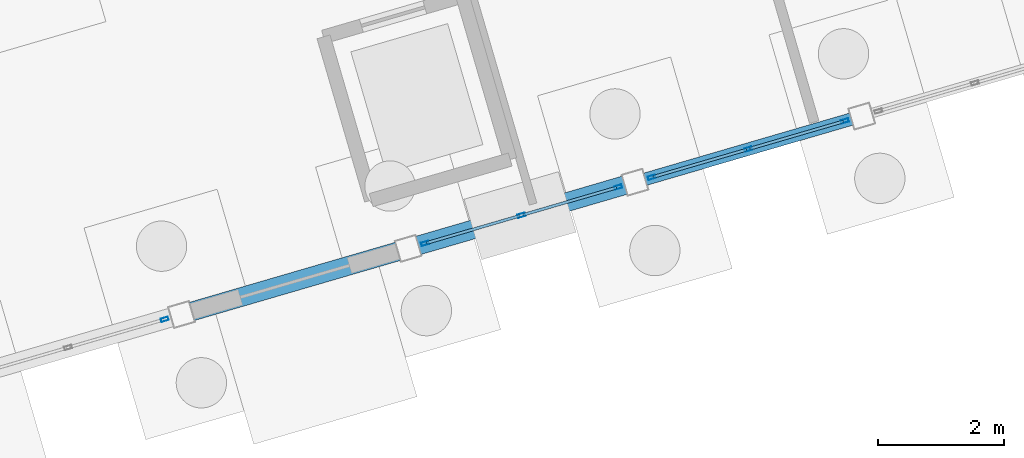
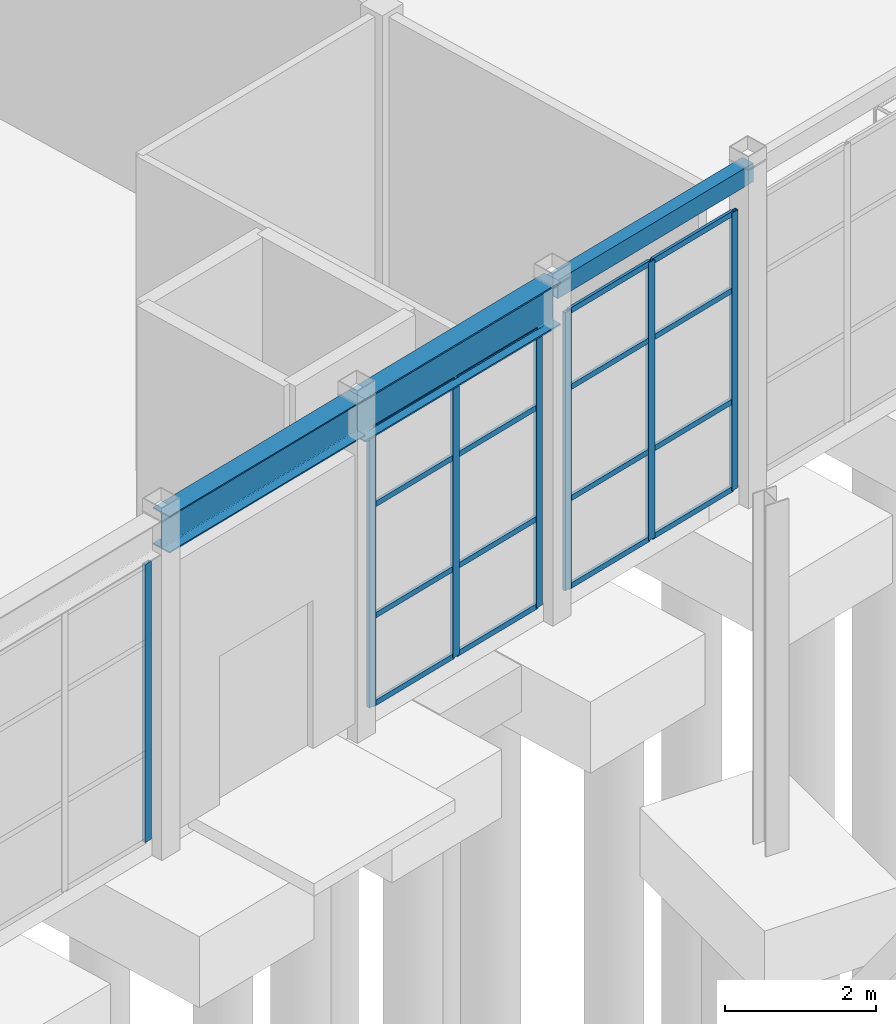
# One storey, part 28 of 90: 23 members, 3 beams, 3 elements without a shape of their own.
"""IFC4 building model written with IfcOpenShell, lengths in metres."""

from ifc_helpers import new_model, si_unit, direction, frame, origin, origin_2d, place, context, subcontext, project, spatial, hollow_rectangle, i_section, extrude, material, layer, layer_set, material_profile, profile_set, type_object, element, aggregate, save


model = new_model("IFC4")

# Units and contexts
model_context = context("Model", 3, precision=1e-05, world=origin(), true_north=direction((0.0, 1.0)))
body_context = subcontext(model_context, "Body", "Model", "MODEL_VIEW")
ifc_project = project(units=[si_unit("LENGTHUNIT", "METRE"), si_unit("AREAUNIT", "SQUARE_METRE"), si_unit("VOLUMEUNIT", "CUBIC_METRE"), si_unit("PLANEANGLEUNIT", "RADIAN"), si_unit("MASSUNIT", "GRAM", prefix="KILO")], contexts=[model_context])

# Site, building, storey
site_placement = place(None, origin())
site = spatial("IfcSite", under=ifc_project, at=site_placement, CompositionType="ELEMENT")
building_placement = place(site_placement, origin())
building = spatial("IfcBuilding", under=site, at=building_placement, Name="Canggui Botanical Conservatory", CompositionType="ELEMENT")
storey_placement = place(building_placement, origin())
storey = spatial("IfcBuildingStorey", under=building, at=storey_placement, Name="L01", CompositionType="ELEMENT", Elevation=0.0)

# Beams
ifc_material_1 = material(Name="Steel Q355B", Category="steel")
ifc_material_profile_1 = material_profile(ifc_material_1, i_section(OverallWidth=0.300048828125, OverallDepth=0.60009765625, WebThickness=0.011962890625, FlangeThickness=0.02001953125, FilletRadius=0.02392578125, at=origin_2d()), Name="HM 600x300x12x20")
ifc_profile_set_1 = profile_set([ifc_material_profile_1], Name="Steel Q355B")
beam_type_1 = type_object("IfcBeamType", Name="BM-GL09", PredefinedType="BEAM", material=ifc_profile_set_1)
beam_1_placement = place(storey_placement, frame((27.199951171875, 44.10009765625, 4.875), z_axis=(0.960016039924, 0.279945000113, 0.0), x_axis=(-0.279945000113, 0.960016039924, 0.0)))
element("IfcBeam", 1, at=beam_1_placement, inside=storey, type_object=beam_type_1, Name="Conservatory Skywalk Perimeter Girder V0-03", PredefinedType="BEAM", context=body_context, shape_type="SweptSolid", body=[
    extrude(i_section(OverallWidth=0.300048828125, OverallDepth=0.60009765625, WebThickness=0.011962890625, FlangeThickness=0.02001953125, FilletRadius=0.02392578125, at=origin_2d()), origin(), (0.0, 0.0, 1.0), 3.75),
])
ifc_material_profile_2 = material_profile(ifc_material_1, i_section(OverallWidth=0.300048828125, OverallDepth=0.699951171875, WebThickness=0.012939453125, FlangeThickness=0.02392578125, FilletRadius=0.02587890625, at=origin_2d()), Name="HN 700x300x13x24")
ifc_profile_set_2 = profile_set([ifc_material_profile_2], Name="Steel Q355B")
beam_type_2 = type_object("IfcBeamType", Name="BM-GL10", PredefinedType="BEAM", material=ifc_profile_set_2)
beam_2_placement = place(storey_placement, frame((30.800048828125, 45.14990234375, 4.824951171875), z_axis=(0.959993437014, 0.280022500685, 0.0), x_axis=(-0.280022500685, 0.959993437014, 0.0)))
element("IfcBeam", 2, at=beam_2_placement, inside=storey, type_object=beam_type_2, Name="Conservatory Skywalk Perimeter Girder V0-04", PredefinedType="BEAM", context=body_context, shape_type="SweptSolid", body=[
    extrude(i_section(OverallWidth=0.300048828125, OverallDepth=0.699951171875, WebThickness=0.012939453125, FlangeThickness=0.02392578125, FilletRadius=0.02587890625, at=origin_2d()), origin(), (0.0, 0.0, 1.0), 3.749755859375),
])
ifc_material_profile_3 = material_profile(ifc_material_1, hollow_rectangle(XDim=0.199951171875, YDim=0.300048828125, WallThickness=0.010009765625, at=origin_2d()), Name="RHS 200x300x10")
ifc_profile_set_3 = profile_set([ifc_material_profile_3], Name="Steel Q355B")
beam_type_3 = type_object("IfcBeamType", Name="BM-GL11", PredefinedType="BEAM", material=ifc_profile_set_3)
beam_3_placement = place(storey_placement, frame((34.39990234375, 46.199951171875, 5.02490234375), z_axis=(0.959998541695, 0.280004999853, 0.0), x_axis=(-0.280004999853, 0.959998541695, 0.0)))
element("IfcBeam", 3, at=beam_3_placement, inside=storey, type_object=beam_type_3, Name="Conservatory Skywalk Perimeter Girder V0-05", PredefinedType="BEAM", context=body_context, shape_type="SweptSolid", body=[
    extrude(hollow_rectangle(XDim=0.199951171875, YDim=0.300048828125, WallThickness=0.010009765625, at=origin_2d()), origin(), (0.0, 0.0, 1.0), 3.75),
])

# Curtain wall, member
ifc_material_2 = material(Name="Thermally Broken Aluminium", Category="aluminium")
ifc_layer = layer(ifc_material_2, 0.1201171875, Name="Thermally Broken Aluminium", Category="aluminium")
ifc_layer_set = layer_set([ifc_layer], Name="Thermally Broken Aluminium")
curtain_wall_type = type_object("IfcCurtainWallType", Name="CW-STICK-B", PredefinedType="USERDEFINED", material=ifc_layer_set)
curtain_wall_1_placement = place(storey_placement, origin())
curtain_wall_1 = element("IfcCurtainWall", 4, at=curtain_wall_1_placement, inside=storey, type_object=curtain_wall_type, Name="Facade Curtain Wall CW-CONS-L01-V0-02", ObjectType="STICK GLAZED WALL", PredefinedType="USERDEFINED")
ifc_material_profile_4 = material_profile(ifc_material_2, hollow_rectangle(XDim=0.054931640625, YDim=0.1201171875, WallThickness=0.0029296875, at=origin_2d()), Name="CWM 55x120x3")
ifc_profile_set_4 = profile_set([ifc_material_profile_4], Name="Thermally Broken Aluminium")
member_type_1 = type_object("IfcMemberType", Name="CWM-05", PredefinedType="MULLION", material=ifc_profile_set_4)
member_1_placement = place(storey_placement, frame((26.93359375, 44.022216796875, 0.0), z_axis=(0.0, 0.0, 1.0), x_axis=(0.279999999995, -0.960000000002, 0.0)))
member_1 = element("IfcMember", 5, at=member_1_placement, type_object=member_type_1, Name="CW-05 mullion 1", PredefinedType="MULLION", context=body_context, shape_type="SweptSolid", body=[
    extrude(hollow_rectangle(XDim=0.054931640625, YDim=0.1201171875, WallThickness=0.0029296875, at=origin_2d()), origin(), (0.0, 0.0, 1.0), 4.5),
])
aggregate(curtain_wall_1, [member_1])

# Curtain wall, members
curtain_wall_2_placement = place(storey_placement, origin())
curtain_wall_2 = element("IfcCurtainWall", 6, at=curtain_wall_2_placement, inside=storey, type_object=curtain_wall_type, Name="Facade Curtain Wall CW-CONS-L01-V0-04", ObjectType="STICK GLAZED WALL", PredefinedType="USERDEFINED")
member_2_placement = place(storey_placement, frame((34.133544921875, 46.122314453125, 0.0), z_axis=(0.0, 0.0, 1.0), x_axis=(0.279999999995, -0.960000000002, 0.0)))
member_2 = element("IfcMember", 7, at=member_2_placement, type_object=member_type_1, Name="CW-05 mullion 1", PredefinedType="MULLION", context=body_context, shape_type="SweptSolid", body=[
    extrude(hollow_rectangle(XDim=0.054931640625, YDim=0.1201171875, WallThickness=0.0029296875, at=origin_2d()), origin(), (0.0, 0.0, 1.0), 4.5),
])
member_3_placement = place(storey_placement, frame((32.60009765625, 45.675048828125, 0.0), z_axis=(0.0, 0.0, 1.0), x_axis=(0.279999999995, -0.960000000002, 0.0)))
member_3 = element("IfcMember", 8, at=member_3_placement, type_object=member_type_1, Name="CW-05 mullion 2", PredefinedType="MULLION", context=body_context, shape_type="SweptSolid", body=[
    extrude(hollow_rectangle(XDim=0.054931640625, YDim=0.1201171875, WallThickness=0.0029296875, at=origin_2d()), origin(), (0.0, 0.0, 1.0), 4.5),
])
member_4_placement = place(storey_placement, frame((31.06640625, 45.227783203125, 0.0), z_axis=(0.0, 0.0, 1.0), x_axis=(0.279999999995, -0.960000000002, 0.0)))
member_4 = element("IfcMember", 9, at=member_4_placement, type_object=member_type_1, Name="CW-05 mullion 3", PredefinedType="MULLION", context=body_context, shape_type="SweptSolid", body=[
    extrude(hollow_rectangle(XDim=0.054931640625, YDim=0.1201171875, WallThickness=0.0029296875, at=origin_2d()), origin(), (0.0, 0.0, 1.0), 4.5),
])

curtain_wall_3_placement = place(storey_placement, origin())
curtain_wall_3 = element("IfcCurtainWall", 10, at=curtain_wall_3_placement, inside=storey, type_object=curtain_wall_type, Name="Facade Curtain Wall CW-CONS-L01-V0-05", ObjectType="STICK GLAZED WALL", PredefinedType="USERDEFINED")
member_5_placement = place(storey_placement, frame((37.733642578125, 47.17236328125, 0.0), z_axis=(0.0, 0.0, 1.0), x_axis=(0.279999999995, -0.960000000002, 0.0)))
member_5 = element("IfcMember", 11, at=member_5_placement, type_object=member_type_1, Name="CW-05 mullion 1", PredefinedType="MULLION", context=body_context, shape_type="SweptSolid", body=[
    extrude(hollow_rectangle(XDim=0.054931640625, YDim=0.1201171875, WallThickness=0.0029296875, at=origin_2d()), origin(), (0.0, 0.0, 1.0), 4.5),
])
member_6_placement = place(storey_placement, frame((36.199951171875, 46.72509765625, 0.0), z_axis=(0.0, 0.0, 1.0), x_axis=(0.279999999995, -0.960000000002, 0.0)))
member_6 = element("IfcMember", 12, at=member_6_placement, type_object=member_type_1, Name="CW-05 mullion 2", PredefinedType="MULLION", context=body_context, shape_type="SweptSolid", body=[
    extrude(hollow_rectangle(XDim=0.054931640625, YDim=0.1201171875, WallThickness=0.0029296875, at=origin_2d()), origin(), (0.0, 0.0, 1.0), 4.5),
])
member_7_placement = place(storey_placement, frame((34.66650390625, 46.277587890625, 0.0), z_axis=(0.0, 0.0, 1.0), x_axis=(0.279999999995, -0.960000000002, 0.0)))
member_7 = element("IfcMember", 13, at=member_7_placement, type_object=member_type_1, Name="CW-05 mullion 3", PredefinedType="MULLION", context=body_context, shape_type="SweptSolid", body=[
    extrude(hollow_rectangle(XDim=0.054931640625, YDim=0.1201171875, WallThickness=0.0029296875, at=origin_2d()), origin(), (0.0, 0.0, 1.0), 4.5),
])

# Member
ifc_material_profile_5 = material_profile(ifc_material_2, hollow_rectangle(XDim=0.044921875, YDim=0.090087890625, WallThickness=0.0029296875, at=origin_2d()), Name="CWT 45x90x3")
ifc_profile_set_5 = profile_set([ifc_material_profile_5], Name="Thermally Broken Aluminium")
member_type_2 = type_object("IfcMemberType", Name="CWT-05", PredefinedType="USERDEFINED", material=ifc_profile_set_5)
member_8_placement = place(storey_placement, frame((34.107177734375, 46.114501953125, 0.0224609375), z_axis=(-0.959998227189, -0.280006078137, 0.0), x_axis=(0.280006078137, -0.959998227189, 0.0)))
member_8 = element("IfcMember", 14, at=member_8_placement, type_object=member_type_2, Name="CW-05 transom 1.1", ObjectType="TRANSOM", PredefinedType="USERDEFINED", context=body_context, shape_type="SweptSolid", body=[
    extrude(hollow_rectangle(XDim=0.044921875, YDim=0.090087890625, WallThickness=0.0029296875, at=origin_2d()), origin(), (0.0, 0.0, 1.0), 1.54248046875),
])

member_9_placement = place(storey_placement, frame((34.107177734375, 46.114501953125, 1.43994140625), z_axis=(-0.959998227189, -0.280006078137, 0.0), x_axis=(0.280006078137, -0.959998227189, 0.0)))
member_9 = element("IfcMember", 15, at=member_9_placement, type_object=member_type_2, Name="CW-05 transom 1.2", ObjectType="TRANSOM", PredefinedType="USERDEFINED", context=body_context, shape_type="SweptSolid", body=[
    extrude(hollow_rectangle(XDim=0.044921875, YDim=0.090087890625, WallThickness=0.0029296875, at=origin_2d()), origin(), (0.0, 0.0, 1.0), 1.54248046875),
])

member_10_placement = place(storey_placement, frame((34.107177734375, 46.114501953125, 3.239990234375), z_axis=(-0.959998227189, -0.280006078137, 0.0), x_axis=(0.280006078137, -0.959998227189, 0.0)))
member_10 = element("IfcMember", 16, at=member_10_placement, type_object=member_type_2, Name="CW-05 transom 1.3", ObjectType="TRANSOM", PredefinedType="USERDEFINED", context=body_context, shape_type="SweptSolid", body=[
    extrude(hollow_rectangle(XDim=0.044921875, YDim=0.090087890625, WallThickness=0.0029296875, at=origin_2d()), origin(), (0.0, 0.0, 1.0), 1.54248046875),
])

member_11_placement = place(storey_placement, frame((34.107177734375, 46.114501953125, 4.4775390625), z_axis=(-0.959998227189, -0.280006078137, 0.0), x_axis=(0.280006078137, -0.959998227189, 0.0)))
member_11 = element("IfcMember", 17, at=member_11_placement, type_object=member_type_2, Name="CW-05 transom 1.4", ObjectType="TRANSOM", PredefinedType="USERDEFINED", context=body_context, shape_type="SweptSolid", body=[
    extrude(hollow_rectangle(XDim=0.044921875, YDim=0.090087890625, WallThickness=0.0029296875, at=origin_2d()), origin(), (0.0, 0.0, 1.0), 1.54248046875),
])

member_12_placement = place(storey_placement, frame((32.573486328125, 45.667236328125, 0.0224609375), z_axis=(-0.959998227189, -0.280006078137, 0.0), x_axis=(0.280006078137, -0.959998227189, 0.0)))
member_12 = element("IfcMember", 18, at=member_12_placement, type_object=member_type_2, Name="CW-05 transom 2.1", ObjectType="TRANSOM", PredefinedType="USERDEFINED", context=body_context, shape_type="SweptSolid", body=[
    extrude(hollow_rectangle(XDim=0.044921875, YDim=0.090087890625, WallThickness=0.0029296875, at=origin_2d()), origin(), (0.0, 0.0, 1.0), 1.54248046875),
])

member_13_placement = place(storey_placement, frame((32.573486328125, 45.667236328125, 1.43994140625), z_axis=(-0.959998227189, -0.280006078137, 0.0), x_axis=(0.280006078137, -0.959998227189, 0.0)))
member_13 = element("IfcMember", 19, at=member_13_placement, type_object=member_type_2, Name="CW-05 transom 2.2", ObjectType="TRANSOM", PredefinedType="USERDEFINED", context=body_context, shape_type="SweptSolid", body=[
    extrude(hollow_rectangle(XDim=0.044921875, YDim=0.090087890625, WallThickness=0.0029296875, at=origin_2d()), origin(), (0.0, 0.0, 1.0), 1.54248046875),
])

member_14_placement = place(storey_placement, frame((32.573486328125, 45.667236328125, 3.239990234375), z_axis=(-0.959998227189, -0.280006078137, 0.0), x_axis=(0.280006078137, -0.959998227189, 0.0)))
member_14 = element("IfcMember", 20, at=member_14_placement, type_object=member_type_2, Name="CW-05 transom 2.3", ObjectType="TRANSOM", PredefinedType="USERDEFINED", context=body_context, shape_type="SweptSolid", body=[
    extrude(hollow_rectangle(XDim=0.044921875, YDim=0.090087890625, WallThickness=0.0029296875, at=origin_2d()), origin(), (0.0, 0.0, 1.0), 1.54248046875),
])

member_15_placement = place(storey_placement, frame((32.573486328125, 45.667236328125, 4.4775390625), z_axis=(-0.959998227189, -0.280006078137, 0.0), x_axis=(0.280006078137, -0.959998227189, 0.0)))
member_15 = element("IfcMember", 21, at=member_15_placement, type_object=member_type_2, Name="CW-05 transom 2.4", ObjectType="TRANSOM", PredefinedType="USERDEFINED", context=body_context, shape_type="SweptSolid", body=[
    extrude(hollow_rectangle(XDim=0.044921875, YDim=0.090087890625, WallThickness=0.0029296875, at=origin_2d()), origin(), (0.0, 0.0, 1.0), 1.54248046875),
])

aggregate(curtain_wall_2, [member_2, member_3, member_4, member_8, member_9, member_10, member_11, member_12, member_13, member_14, member_15])

member_16_placement = place(storey_placement, frame((37.707275390625, 47.16455078125, 0.0224609375), z_axis=(-0.96001063444, -0.279963536486, 0.0), x_axis=(0.279963536486, -0.96001063444, 0.0)))
member_16 = element("IfcMember", 22, at=member_16_placement, type_object=member_type_2, Name="CW-05 transom 1.1", ObjectType="TRANSOM", PredefinedType="USERDEFINED", context=body_context, shape_type="SweptSolid", body=[
    extrude(hollow_rectangle(XDim=0.044921875, YDim=0.090087890625, WallThickness=0.0029296875, at=origin_2d()), origin(), (0.0, 0.0, 1.0), 1.542724609375),
])

member_17_placement = place(storey_placement, frame((37.707275390625, 47.16455078125, 1.43994140625), z_axis=(-0.96001063444, -0.279963536486, 0.0), x_axis=(0.279963536486, -0.96001063444, 0.0)))
member_17 = element("IfcMember", 23, at=member_17_placement, type_object=member_type_2, Name="CW-05 transom 1.2", ObjectType="TRANSOM", PredefinedType="USERDEFINED", context=body_context, shape_type="SweptSolid", body=[
    extrude(hollow_rectangle(XDim=0.044921875, YDim=0.090087890625, WallThickness=0.0029296875, at=origin_2d()), origin(), (0.0, 0.0, 1.0), 1.542724609375),
])

member_18_placement = place(storey_placement, frame((37.707275390625, 47.16455078125, 3.239990234375), z_axis=(-0.96001063444, -0.279963536486, 0.0), x_axis=(0.279963536486, -0.96001063444, 0.0)))
member_18 = element("IfcMember", 24, at=member_18_placement, type_object=member_type_2, Name="CW-05 transom 1.3", ObjectType="TRANSOM", PredefinedType="USERDEFINED", context=body_context, shape_type="SweptSolid", body=[
    extrude(hollow_rectangle(XDim=0.044921875, YDim=0.090087890625, WallThickness=0.0029296875, at=origin_2d()), origin(), (0.0, 0.0, 1.0), 1.542724609375),
])

member_19_placement = place(storey_placement, frame((37.707275390625, 47.16455078125, 4.4775390625), z_axis=(-0.96001063444, -0.279963536486, 0.0), x_axis=(0.279963536486, -0.96001063444, 0.0)))
member_19 = element("IfcMember", 25, at=member_19_placement, type_object=member_type_2, Name="CW-05 transom 1.4", ObjectType="TRANSOM", PredefinedType="USERDEFINED", context=body_context, shape_type="SweptSolid", body=[
    extrude(hollow_rectangle(XDim=0.044921875, YDim=0.090087890625, WallThickness=0.0029296875, at=origin_2d()), origin(), (0.0, 0.0, 1.0), 1.542724609375),
])

member_20_placement = place(storey_placement, frame((36.173583984375, 46.71728515625, 0.0224609375), z_axis=(-0.959998227189, -0.280006078137, 0.0), x_axis=(0.280006078137, -0.959998227189, 0.0)))
member_20 = element("IfcMember", 26, at=member_20_placement, type_object=member_type_2, Name="CW-05 transom 2.1", ObjectType="TRANSOM", PredefinedType="USERDEFINED", context=body_context, shape_type="SweptSolid", body=[
    extrude(hollow_rectangle(XDim=0.044921875, YDim=0.090087890625, WallThickness=0.0029296875, at=origin_2d()), origin(), (0.0, 0.0, 1.0), 1.54248046875),
])

member_21_placement = place(storey_placement, frame((36.173583984375, 46.71728515625, 1.43994140625), z_axis=(-0.959998227189, -0.280006078137, 0.0), x_axis=(0.280006078137, -0.959998227189, 0.0)))
member_21 = element("IfcMember", 27, at=member_21_placement, type_object=member_type_2, Name="CW-05 transom 2.2", ObjectType="TRANSOM", PredefinedType="USERDEFINED", context=body_context, shape_type="SweptSolid", body=[
    extrude(hollow_rectangle(XDim=0.044921875, YDim=0.090087890625, WallThickness=0.0029296875, at=origin_2d()), origin(), (0.0, 0.0, 1.0), 1.54248046875),
])

member_22_placement = place(storey_placement, frame((36.173583984375, 46.71728515625, 3.239990234375), z_axis=(-0.959998227189, -0.280006078137, 0.0), x_axis=(0.280006078137, -0.959998227189, 0.0)))
member_22 = element("IfcMember", 28, at=member_22_placement, type_object=member_type_2, Name="CW-05 transom 2.3", ObjectType="TRANSOM", PredefinedType="USERDEFINED", context=body_context, shape_type="SweptSolid", body=[
    extrude(hollow_rectangle(XDim=0.044921875, YDim=0.090087890625, WallThickness=0.0029296875, at=origin_2d()), origin(), (0.0, 0.0, 1.0), 1.54248046875),
])

member_23_placement = place(storey_placement, frame((36.173583984375, 46.71728515625, 4.4775390625), z_axis=(-0.959998227189, -0.280006078137, 0.0), x_axis=(0.280006078137, -0.959998227189, 0.0)))
member_23 = element("IfcMember", 29, at=member_23_placement, type_object=member_type_2, Name="CW-05 transom 2.4", ObjectType="TRANSOM", PredefinedType="USERDEFINED", context=body_context, shape_type="SweptSolid", body=[
    extrude(hollow_rectangle(XDim=0.044921875, YDim=0.090087890625, WallThickness=0.0029296875, at=origin_2d()), origin(), (0.0, 0.0, 1.0), 1.54248046875),
])

aggregate(curtain_wall_3, [member_5, member_6, member_7, member_16, member_17, member_18, member_19, member_20, member_21, member_22, member_23])

save(model, "model.ifc")
